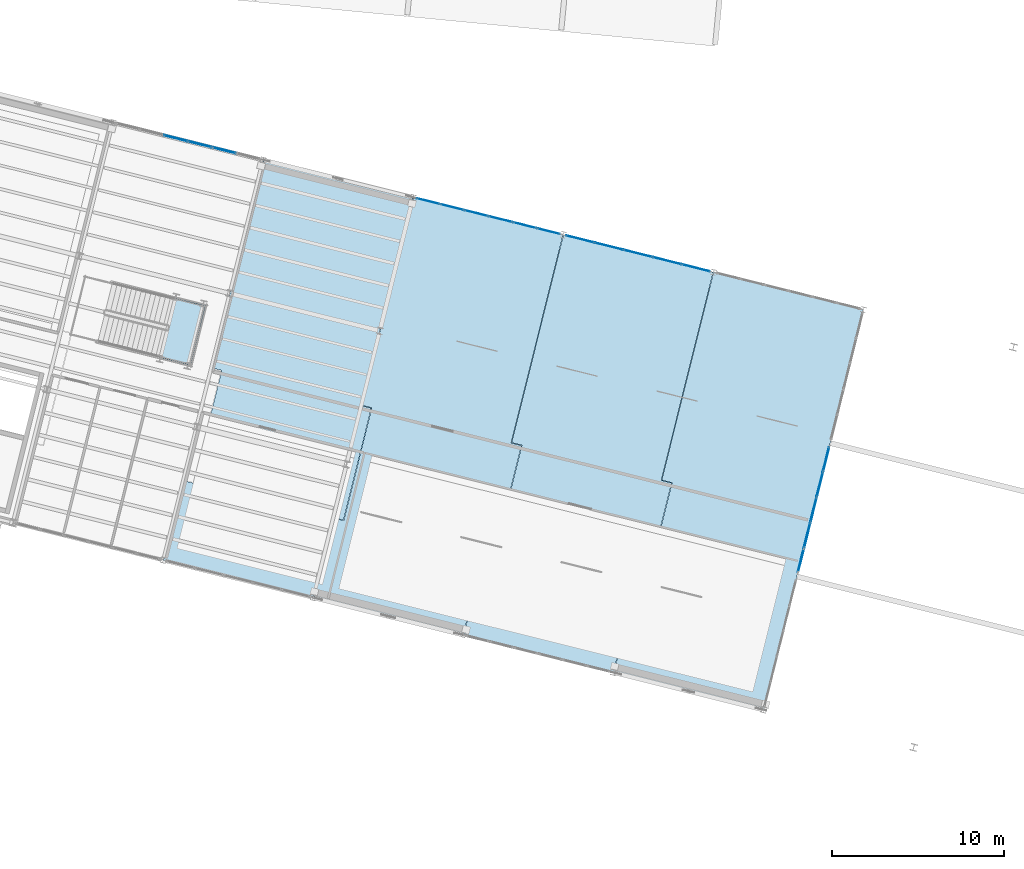
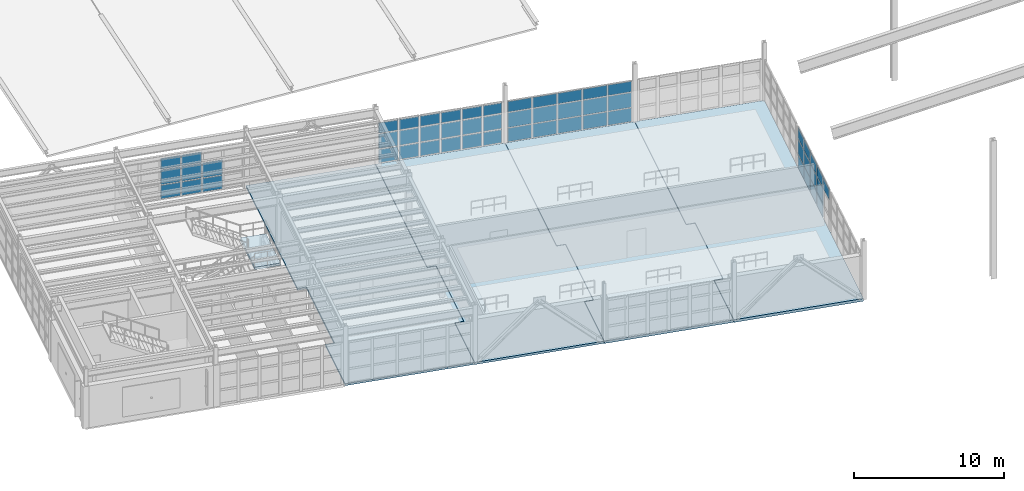
# One storey, part 35 of 59: 54 plates, 5 slabs, 5 elements without a shape of their own.
"""IFC4 building model written with IfcOpenShell, lengths in metres."""

from ifc_helpers import new_model, si_unit, direction, frame, origin, origin_2d, place, context, subcontext, project, spatial, polyline, rectangle, outline, extrude, material, layer, layer_set, type_object, element, aggregate, save


model = new_model("IFC4")

# Units and contexts
model_context = context("Model", 3, precision=1e-05, world=origin(), true_north=direction((0.0, 1.0)))
body_context = subcontext(model_context, "Body", "Model", "MODEL_VIEW")
ifc_project = project(units=[si_unit("LENGTHUNIT", "METRE"), si_unit("AREAUNIT", "SQUARE_METRE"), si_unit("VOLUMEUNIT", "CUBIC_METRE"), si_unit("PLANEANGLEUNIT", "RADIAN"), si_unit("MASSUNIT", "GRAM", prefix="KILO")], contexts=[model_context])

# Site, building, storey
site_placement = place(None, origin())
site = spatial("IfcSite", under=ifc_project, at=site_placement, CompositionType="ELEMENT")
building_placement = place(site_placement, origin())
building = spatial("IfcBuilding", under=site, at=building_placement, Name="Vireo Bluff Cable Station", CompositionType="ELEMENT")
storey_placement = place(building_placement, frame((0.0, 0.0, 14.39990234375)))
storey = spatial("IfcBuildingStorey", under=building, at=storey_placement, Name="L03", CompositionType="ELEMENT", Elevation=14.39990234375)

# Curtain wall, plates
ifc_material_1 = material(Name="Anodized Aluminium 6063-T6", Category="aluminium")
ifc_layer_1 = layer(ifc_material_1, 0.179931640625, Name="Anodized Aluminium 6063-T6")
ifc_layer_set_1 = layer_set([ifc_layer_1], Name="Anodized Aluminium 6063-T6")
curtain_wall_type_1 = type_object("IfcCurtainWallType", Name="CW-UNIT-1500", PredefinedType="USERDEFINED", material=ifc_layer_set_1)
curtain_wall_1_placement = place(storey_placement, origin())
curtain_wall_1 = element("IfcCurtainWall", 1, at=curtain_wall_1_placement, inside=storey, type_object=curtain_wall_type_1, Name="V1 L03 north curtain wall CW-025", ObjectType="UNITISED CURTAIN WALL", PredefinedType="USERDEFINED")
ifc_material_2 = material(Name="Laminated Low-E Insulated Glass", Category="glass")
ifc_layer_2 = layer(ifc_material_2, 0.028076171875, Name="Laminated Low-E Insulated Glass")
ifc_layer_set_2 = layer_set([ifc_layer_2], Name="Laminated Low-E Insulated Glass")
plate_type_1 = type_object("IfcPlateType", Name="CWP-28-1", PredefinedType="CURTAIN_PANEL", material=ifc_layer_set_2)
plate_1_placement = place(storey_placement, frame((86.876953125, 54.53759765625, 0.0751953125), z_axis=(0.0, 0.0, 1.0), x_axis=(0.970295727057, -0.241921892467, 0.0)))
plate_1 = element("IfcPlate", 2, at=plate_1_placement, type_object=plate_type_1, Name="CW-025 panel 1.1", PredefinedType="CURTAIN_PANEL", context=body_context, shape_type="SweptSolid", body=[
    extrude(rectangle(XDim=1.34033203125, YDim=0.028076171875, at=origin_2d()), origin(), (0.0, 0.0, 1.0), 1.077392578125),
])
plate_2_placement = place(storey_placement, frame((86.876953125, 54.53759765625, 1.2275390625), z_axis=(0.0, 0.0, 1.0), x_axis=(0.970295727057, -0.241921892467, 0.0)))
plate_2 = element("IfcPlate", 3, at=plate_2_placement, type_object=plate_type_1, Name="CW-025 panel 1.2", PredefinedType="CURTAIN_PANEL", context=body_context, shape_type="SweptSolid", body=[
    extrude(rectangle(XDim=1.34033203125, YDim=0.028076171875, at=origin_2d()), origin(), (0.0, 0.0, 1.0), 1.18310546875),
])
plate_3_placement = place(storey_placement, frame((86.876953125, 54.53759765625, 2.4853515625), z_axis=(0.0, 0.0, 1.0), x_axis=(0.970295727057, -0.241921892467, 0.0)))
plate_3 = element("IfcPlate", 4, at=plate_3_placement, type_object=plate_type_1, Name="CW-025 panel 1.3", PredefinedType="CURTAIN_PANEL", context=body_context, shape_type="SweptSolid", body=[
    extrude(rectangle(XDim=1.34033203125, YDim=0.028076171875, at=origin_2d()), origin(), (0.0, 0.0, 1.0), 0.839599609375),
])
plate_4_placement = place(storey_placement, frame((88.268310546875, 54.190673828125, 0.0751953125), z_axis=(0.0, 0.0, 1.0), x_axis=(0.970295727057, -0.241921892467, 0.0)))
plate_4 = element("IfcPlate", 5, at=plate_4_placement, type_object=plate_type_1, Name="CW-025 panel 2.1", PredefinedType="CURTAIN_PANEL", context=body_context, shape_type="SweptSolid", body=[
    extrude(rectangle(XDim=1.377685546875, YDim=0.028076171875, at=origin_2d()), origin(), (0.0, 0.0, 1.0), 1.077392578125),
])
plate_5_placement = place(storey_placement, frame((88.268310546875, 54.190673828125, 1.2275390625), z_axis=(0.0, 0.0, 1.0), x_axis=(0.970295727057, -0.241921892467, 0.0)))
plate_5 = element("IfcPlate", 6, at=plate_5_placement, type_object=plate_type_1, Name="CW-025 panel 2.2", PredefinedType="CURTAIN_PANEL", context=body_context, shape_type="SweptSolid", body=[
    extrude(rectangle(XDim=1.377685546875, YDim=0.028076171875, at=origin_2d()), origin(), (0.0, 0.0, 1.0), 1.18310546875),
])
plate_6_placement = place(storey_placement, frame((88.268310546875, 54.190673828125, 2.4853515625), z_axis=(0.0, 0.0, 1.0), x_axis=(0.970295727057, -0.241921892467, 0.0)))
plate_6 = element("IfcPlate", 7, at=plate_6_placement, type_object=plate_type_1, Name="CW-025 panel 2.3", PredefinedType="CURTAIN_PANEL", context=body_context, shape_type="SweptSolid", body=[
    extrude(rectangle(XDim=1.377685546875, YDim=0.028076171875, at=origin_2d()), origin(), (0.0, 0.0, 1.0), 0.839599609375),
])
plate_7_placement = place(storey_placement, frame((89.677978515625, 53.839111328125, 0.0751953125), z_axis=(0.0, 0.0, 1.0), x_axis=(0.970295727057, -0.241921892467, 0.0)))
plate_7 = element("IfcPlate", 8, at=plate_7_placement, type_object=plate_type_1, Name="CW-025 panel 3.1", PredefinedType="CURTAIN_PANEL", context=body_context, shape_type="SweptSolid", body=[
    extrude(rectangle(XDim=1.377685546875, YDim=0.028076171875, at=origin_2d()), origin(), (0.0, 0.0, 1.0), 1.077392578125),
])
plate_8_placement = place(storey_placement, frame((89.677978515625, 53.839111328125, 1.2275390625), z_axis=(0.0, 0.0, 1.0), x_axis=(0.970295727057, -0.241921892467, 0.0)))
plate_8 = element("IfcPlate", 9, at=plate_8_placement, type_object=plate_type_1, Name="CW-025 panel 3.2", PredefinedType="CURTAIN_PANEL", context=body_context, shape_type="SweptSolid", body=[
    extrude(rectangle(XDim=1.377685546875, YDim=0.028076171875, at=origin_2d()), origin(), (0.0, 0.0, 1.0), 1.18310546875),
])
plate_9_placement = place(storey_placement, frame((89.677978515625, 53.839111328125, 2.4853515625), z_axis=(0.0, 0.0, 1.0), x_axis=(0.970295727057, -0.241921892467, 0.0)))
plate_9 = element("IfcPlate", 10, at=plate_9_placement, type_object=plate_type_1, Name="CW-025 panel 3.3", PredefinedType="CURTAIN_PANEL", context=body_context, shape_type="SweptSolid", body=[
    extrude(rectangle(XDim=1.377685546875, YDim=0.028076171875, at=origin_2d()), origin(), (0.0, 0.0, 1.0), 0.839599609375),
])
plate_10_placement = place(storey_placement, frame((91.087646484375, 53.48779296875, 0.0751953125), z_axis=(0.0, 0.0, 1.0), x_axis=(0.970295727057, -0.241921892467, 0.0)))
plate_10 = element("IfcPlate", 11, at=plate_10_placement, type_object=plate_type_1, Name="CW-025 panel 4.1", PredefinedType="CURTAIN_PANEL", context=body_context, shape_type="SweptSolid", body=[
    extrude(rectangle(XDim=1.377685546875, YDim=0.028076171875, at=origin_2d()), origin(), (0.0, 0.0, 1.0), 1.077392578125),
])
plate_11_placement = place(storey_placement, frame((91.087646484375, 53.48779296875, 1.2275390625), z_axis=(0.0, 0.0, 1.0), x_axis=(0.970295727057, -0.241921892467, 0.0)))
plate_11 = element("IfcPlate", 12, at=plate_11_placement, type_object=plate_type_1, Name="CW-025 panel 4.2", PredefinedType="CURTAIN_PANEL", context=body_context, shape_type="SweptSolid", body=[
    extrude(rectangle(XDim=1.377685546875, YDim=0.028076171875, at=origin_2d()), origin(), (0.0, 0.0, 1.0), 1.18310546875),
])
plate_12_placement = place(storey_placement, frame((91.087646484375, 53.48779296875, 2.4853515625), z_axis=(0.0, 0.0, 1.0), x_axis=(0.970295727057, -0.241921892467, 0.0)))
plate_12 = element("IfcPlate", 13, at=plate_12_placement, type_object=plate_type_1, Name="CW-025 panel 4.3", PredefinedType="CURTAIN_PANEL", context=body_context, shape_type="SweptSolid", body=[
    extrude(rectangle(XDim=1.377685546875, YDim=0.028076171875, at=origin_2d()), origin(), (0.0, 0.0, 1.0), 0.839599609375),
])
plate_13_placement = place(storey_placement, frame((92.497314453125, 53.13623046875, 0.0751953125), z_axis=(0.0, 0.0, 1.0), x_axis=(0.970295727057, -0.241921892467, 0.0)))
plate_13 = element("IfcPlate", 14, at=plate_13_placement, type_object=plate_type_1, Name="CW-025 panel 5.1", PredefinedType="CURTAIN_PANEL", context=body_context, shape_type="SweptSolid", body=[
    extrude(rectangle(XDim=1.377685546875, YDim=0.028076171875, at=origin_2d()), origin(), (0.0, 0.0, 1.0), 1.077392578125),
])
plate_14_placement = place(storey_placement, frame((92.497314453125, 53.13623046875, 1.2275390625), z_axis=(0.0, 0.0, 1.0), x_axis=(0.970295727057, -0.241921892467, 0.0)))
plate_14 = element("IfcPlate", 15, at=plate_14_placement, type_object=plate_type_1, Name="CW-025 panel 5.2", PredefinedType="CURTAIN_PANEL", context=body_context, shape_type="SweptSolid", body=[
    extrude(rectangle(XDim=1.377685546875, YDim=0.028076171875, at=origin_2d()), origin(), (0.0, 0.0, 1.0), 1.18310546875),
])
plate_15_placement = place(storey_placement, frame((92.497314453125, 53.13623046875, 2.4853515625), z_axis=(0.0, 0.0, 1.0), x_axis=(0.970295727057, -0.241921892467, 0.0)))
plate_15 = element("IfcPlate", 16, at=plate_15_placement, type_object=plate_type_1, Name="CW-025 panel 5.3", PredefinedType="CURTAIN_PANEL", context=body_context, shape_type="SweptSolid", body=[
    extrude(rectangle(XDim=1.377685546875, YDim=0.028076171875, at=origin_2d()), origin(), (0.0, 0.0, 1.0), 0.839599609375),
])
plate_16_placement = place(storey_placement, frame((93.888671875, 52.789306640625, 0.0751953125), z_axis=(0.0, 0.0, 1.0), x_axis=(0.970295727057, -0.241921892467, 0.0)))
plate_16 = element("IfcPlate", 17, at=plate_16_placement, type_object=plate_type_1, Name="CW-025 panel 6.1", PredefinedType="CURTAIN_PANEL", context=body_context, shape_type="SweptSolid", body=[
    extrude(rectangle(XDim=1.34033203125, YDim=0.028076171875, at=origin_2d()), origin(), (0.0, 0.0, 1.0), 1.077392578125),
])
plate_17_placement = place(storey_placement, frame((93.888671875, 52.789306640625, 1.2275390625), z_axis=(0.0, 0.0, 1.0), x_axis=(0.970295727057, -0.241921892467, 0.0)))
plate_17 = element("IfcPlate", 18, at=plate_17_placement, type_object=plate_type_1, Name="CW-025 panel 6.2", PredefinedType="CURTAIN_PANEL", context=body_context, shape_type="SweptSolid", body=[
    extrude(rectangle(XDim=1.34033203125, YDim=0.028076171875, at=origin_2d()), origin(), (0.0, 0.0, 1.0), 1.18310546875),
])
plate_18_placement = place(storey_placement, frame((93.888671875, 52.789306640625, 2.4853515625), z_axis=(0.0, 0.0, 1.0), x_axis=(0.970295727057, -0.241921892467, 0.0)))
plate_18 = element("IfcPlate", 19, at=plate_18_placement, type_object=plate_type_1, Name="CW-025 panel 6.3", PredefinedType="CURTAIN_PANEL", context=body_context, shape_type="SweptSolid", body=[
    extrude(rectangle(XDim=1.34033203125, YDim=0.028076171875, at=origin_2d()), origin(), (0.0, 0.0, 1.0), 0.839599609375),
])
aggregate(curtain_wall_1, [plate_1, plate_2, plate_3, plate_4, plate_5, plate_6, plate_7, plate_8, plate_9, plate_10, plate_11, plate_12, plate_13, plate_14, plate_15, plate_16, plate_17, plate_18])

ifc_layer_3 = layer(ifc_material_1, 0.179931640625, Name="Anodized Aluminium 6063-T6")
ifc_layer_set_3 = layer_set([ifc_layer_3], Name="Anodized Aluminium 6063-T6")
curtain_wall_type_2 = type_object("IfcCurtainWallType", Name="CW-UNIT-1650", PredefinedType="USERDEFINED", material=ifc_layer_set_3)
curtain_wall_2_placement = place(storey_placement, origin())
curtain_wall_2 = element("IfcCurtainWall", 20, at=curtain_wall_2_placement, inside=storey, type_object=curtain_wall_type_2, Name="V1 L03 north curtain wall CW-026", ObjectType="UNITISED CURTAIN WALL", PredefinedType="USERDEFINED")
ifc_layer_4 = layer(ifc_material_2, 0.031982421875, Name="Laminated Low-E Insulated Glass")
ifc_layer_set_4 = layer_set([ifc_layer_4], Name="Laminated Low-E Insulated Glass")
plate_type_2 = type_object("IfcPlateType", Name="CWP-32-2", PredefinedType="CURTAIN_PANEL", material=ifc_layer_set_4)
plate_19_placement = place(storey_placement, frame((95.72216796875, 52.332275390625, 0.06005859375), z_axis=(0.0, 0.0, 1.0), x_axis=(0.970295727057, -0.241921892467, 0.0)))
plate_19 = element("IfcPlate", 21, at=plate_19_placement, type_object=plate_type_2, Name="CW-026 panel 1.1", PredefinedType="CURTAIN_PANEL", context=body_context, shape_type="SweptSolid", body=[
    extrude(rectangle(XDim=1.6533203125, YDim=0.031982421875, at=origin_2d()), origin(), (0.0, 0.0, 1.0), 1.10009765625),
])
plate_20_placement = place(storey_placement, frame((95.72216796875, 52.332275390625, 1.22021484375), z_axis=(0.0, 0.0, 1.0), x_axis=(0.970295727057, -0.241921892467, 0.0)))
plate_20 = element("IfcPlate", 22, at=plate_20_placement, type_object=plate_type_2, Name="CW-026 panel 1.2", PredefinedType="CURTAIN_PANEL", context=body_context, shape_type="SweptSolid", body=[
    extrude(rectangle(XDim=1.6533203125, YDim=0.031982421875, at=origin_2d()), origin(), (0.0, 0.0, 1.0), 1.197998046875),
])
plate_21_placement = place(storey_placement, frame((95.72216796875, 52.332275390625, 2.47802734375), z_axis=(0.0, 0.0, 1.0), x_axis=(0.970295727057, -0.241921892467, 0.0)))
plate_21 = element("IfcPlate", 23, at=plate_21_placement, type_object=plate_type_2, Name="CW-026 panel 1.3", PredefinedType="CURTAIN_PANEL", context=body_context, shape_type="SweptSolid", body=[
    extrude(rectangle(XDim=1.6533203125, YDim=0.031982421875, at=origin_2d()), origin(), (0.0, 0.0, 1.0), 0.862060546875),
])
plate_22_placement = place(storey_placement, frame((97.399169921875, 51.9140625, 0.06005859375), z_axis=(0.0, 0.0, 1.0), x_axis=(0.970295727057, -0.241921892467, 0.0)))
plate_22 = element("IfcPlate", 24, at=plate_22_placement, type_object=plate_type_2, Name="CW-026 panel 2.1", PredefinedType="CURTAIN_PANEL", context=body_context, shape_type="SweptSolid", body=[
    extrude(rectangle(XDim=1.683349609375, YDim=0.031982421875, at=origin_2d()), origin(), (0.0, 0.0, 1.0), 1.10009765625),
])
plate_23_placement = place(storey_placement, frame((97.399169921875, 51.9140625, 1.22021484375), z_axis=(0.0, 0.0, 1.0), x_axis=(0.970295727057, -0.241921892467, 0.0)))
plate_23 = element("IfcPlate", 25, at=plate_23_placement, type_object=plate_type_2, Name="CW-026 panel 2.2", PredefinedType="CURTAIN_PANEL", context=body_context, shape_type="SweptSolid", body=[
    extrude(rectangle(XDim=1.683349609375, YDim=0.031982421875, at=origin_2d()), origin(), (0.0, 0.0, 1.0), 1.197998046875),
])
plate_24_placement = place(storey_placement, frame((97.399169921875, 51.9140625, 2.47802734375), z_axis=(0.0, 0.0, 1.0), x_axis=(0.970295727057, -0.241921892467, 0.0)))
plate_24 = element("IfcPlate", 26, at=plate_24_placement, type_object=plate_type_2, Name="CW-026 panel 2.3", PredefinedType="CURTAIN_PANEL", context=body_context, shape_type="SweptSolid", body=[
    extrude(rectangle(XDim=1.683349609375, YDim=0.031982421875, at=origin_2d()), origin(), (0.0, 0.0, 1.0), 0.862060546875),
])
plate_25_placement = place(storey_placement, frame((99.0908203125, 51.492431640625, 0.06005859375), z_axis=(0.0, 0.0, 1.0), x_axis=(0.970295727057, -0.241921892467, 0.0)))
plate_25 = element("IfcPlate", 27, at=plate_25_placement, type_object=plate_type_2, Name="CW-026 panel 3.1", PredefinedType="CURTAIN_PANEL", context=body_context, shape_type="SweptSolid", body=[
    extrude(rectangle(XDim=1.683349609375, YDim=0.031982421875, at=origin_2d()), origin(), (0.0, 0.0, 1.0), 1.10009765625),
])
plate_26_placement = place(storey_placement, frame((99.0908203125, 51.492431640625, 1.22021484375), z_axis=(0.0, 0.0, 1.0), x_axis=(0.970295727057, -0.241921892467, 0.0)))
plate_26 = element("IfcPlate", 28, at=plate_26_placement, type_object=plate_type_2, Name="CW-026 panel 3.2", PredefinedType="CURTAIN_PANEL", context=body_context, shape_type="SweptSolid", body=[
    extrude(rectangle(XDim=1.683349609375, YDim=0.031982421875, at=origin_2d()), origin(), (0.0, 0.0, 1.0), 1.197998046875),
])
plate_27_placement = place(storey_placement, frame((99.0908203125, 51.492431640625, 2.47802734375), z_axis=(0.0, 0.0, 1.0), x_axis=(0.970295727057, -0.241921892467, 0.0)))
plate_27 = element("IfcPlate", 29, at=plate_27_placement, type_object=plate_type_2, Name="CW-026 panel 3.3", PredefinedType="CURTAIN_PANEL", context=body_context, shape_type="SweptSolid", body=[
    extrude(rectangle(XDim=1.683349609375, YDim=0.031982421875, at=origin_2d()), origin(), (0.0, 0.0, 1.0), 0.862060546875),
])
plate_28_placement = place(storey_placement, frame((100.7822265625, 51.070556640625, 0.06005859375), z_axis=(0.0, 0.0, 1.0), x_axis=(0.970295727057, -0.241921892467, 0.0)))
plate_28 = element("IfcPlate", 30, at=plate_28_placement, type_object=plate_type_2, Name="CW-026 panel 4.1", PredefinedType="CURTAIN_PANEL", context=body_context, shape_type="SweptSolid", body=[
    extrude(rectangle(XDim=1.683349609375, YDim=0.031982421875, at=origin_2d()), origin(), (0.0, 0.0, 1.0), 1.10009765625),
])
plate_29_placement = place(storey_placement, frame((100.7822265625, 51.070556640625, 1.22021484375), z_axis=(0.0, 0.0, 1.0), x_axis=(0.970295727057, -0.241921892467, 0.0)))
plate_29 = element("IfcPlate", 31, at=plate_29_placement, type_object=plate_type_2, Name="CW-026 panel 4.2", PredefinedType="CURTAIN_PANEL", context=body_context, shape_type="SweptSolid", body=[
    extrude(rectangle(XDim=1.683349609375, YDim=0.031982421875, at=origin_2d()), origin(), (0.0, 0.0, 1.0), 1.197998046875),
])
plate_30_placement = place(storey_placement, frame((100.7822265625, 51.070556640625, 2.47802734375), z_axis=(0.0, 0.0, 1.0), x_axis=(0.970295727057, -0.241921892467, 0.0)))
plate_30 = element("IfcPlate", 32, at=plate_30_placement, type_object=plate_type_2, Name="CW-026 panel 4.3", PredefinedType="CURTAIN_PANEL", context=body_context, shape_type="SweptSolid", body=[
    extrude(rectangle(XDim=1.683349609375, YDim=0.031982421875, at=origin_2d()), origin(), (0.0, 0.0, 1.0), 0.862060546875),
])
plate_31_placement = place(storey_placement, frame((102.459228515625, 50.652587890625, 0.06005859375), z_axis=(0.0, 0.0, 1.0), x_axis=(0.970295727057, -0.241921892467, 0.0)))
plate_31 = element("IfcPlate", 33, at=plate_31_placement, type_object=plate_type_2, Name="CW-026 panel 5.1", PredefinedType="CURTAIN_PANEL", context=body_context, shape_type="SweptSolid", body=[
    extrude(rectangle(XDim=1.6533203125, YDim=0.031982421875, at=origin_2d()), origin(), (0.0, 0.0, 1.0), 1.10009765625),
])
plate_32_placement = place(storey_placement, frame((102.459228515625, 50.652587890625, 1.22021484375), z_axis=(0.0, 0.0, 1.0), x_axis=(0.970295727057, -0.241921892467, 0.0)))
plate_32 = element("IfcPlate", 34, at=plate_32_placement, type_object=plate_type_2, Name="CW-026 panel 5.2", PredefinedType="CURTAIN_PANEL", context=body_context, shape_type="SweptSolid", body=[
    extrude(rectangle(XDim=1.6533203125, YDim=0.031982421875, at=origin_2d()), origin(), (0.0, 0.0, 1.0), 1.197998046875),
])
plate_33_placement = place(storey_placement, frame((102.459228515625, 50.652587890625, 2.47802734375), z_axis=(0.0, 0.0, 1.0), x_axis=(0.970295727057, -0.241921892467, 0.0)))
plate_33 = element("IfcPlate", 35, at=plate_33_placement, type_object=plate_type_2, Name="CW-026 panel 5.3", PredefinedType="CURTAIN_PANEL", context=body_context, shape_type="SweptSolid", body=[
    extrude(rectangle(XDim=1.6533203125, YDim=0.031982421875, at=origin_2d()), origin(), (0.0, 0.0, 1.0), 0.862060546875),
])
aggregate(curtain_wall_2, [plate_19, plate_20, plate_21, plate_22, plate_23, plate_24, plate_25, plate_26, plate_27, plate_28, plate_29, plate_30, plate_31, plate_32, plate_33])

ifc_layer_5 = layer(ifc_material_1, 0.179931640625, Name="Anodized Aluminium 6063-T6")
ifc_layer_set_5 = layer_set([ifc_layer_5], Name="Anodized Aluminium 6063-T6")
curtain_wall_type_3 = type_object("IfcCurtainWallType", Name="CW-UNIT-1400", PredefinedType="USERDEFINED", material=ifc_layer_set_5)
curtain_wall_3_placement = place(storey_placement, origin())
curtain_wall_3 = element("IfcCurtainWall", 36, at=curtain_wall_3_placement, inside=storey, type_object=curtain_wall_type_3, Name="V1 L03 north curtain wall CW-024", ObjectType="UNITISED CURTAIN WALL", PredefinedType="USERDEFINED")
ifc_material_3 = material(Name="Insulated Spandrel Glass Panel", Category="glass")
ifc_layer_6 = layer(ifc_material_3, 0.048095703125, Name="Insulated Spandrel Glass Panel")
ifc_layer_set_6 = layer_set([ifc_layer_6], Name="Insulated Spandrel Glass Panel")
plate_type_3 = type_object("IfcPlateType", Name="CWP-48-5", PredefinedType="CURTAIN_PANEL", material=ifc_layer_set_6)
plate_34_placement = place(storey_placement, frame((72.202392578125, 58.1962890625, 0.06494140625), z_axis=(0.0, 0.0, 1.0), x_axis=(0.970295730477, -0.241921878749, 0.0)))
plate_34 = element("IfcPlate", 37, at=plate_34_placement, type_object=plate_type_3, Name="CW-024 panel 3.1", PredefinedType="CURTAIN_PANEL", context=body_context, shape_type="SweptSolid", body=[
    extrude(rectangle(XDim=1.383544921875, YDim=0.048095703125, at=origin_2d()), origin(), (0.0, 0.0, 1.0), 1.092529296875),
])
plate_35_placement = place(storey_placement, frame((72.202392578125, 58.1962890625, 1.22265625), z_axis=(0.0, 0.0, 1.0), x_axis=(0.970295730477, -0.241921878749, 0.0)))
plate_35 = element("IfcPlate", 38, at=plate_35_placement, type_object=plate_type_3, Name="CW-024 panel 3.2", PredefinedType="CURTAIN_PANEL", context=body_context, shape_type="SweptSolid", body=[
    extrude(rectangle(XDim=1.383544921875, YDim=0.048095703125, at=origin_2d()), origin(), (0.0, 0.0, 1.0), 1.193115234375),
])
plate_36_placement = place(storey_placement, frame((72.202392578125, 58.1962890625, 2.480712890625), z_axis=(0.0, 0.0, 1.0), x_axis=(0.970295730477, -0.241921878749, 0.0)))
plate_36 = element("IfcPlate", 39, at=plate_36_placement, type_object=plate_type_3, Name="CW-024 panel 3.3", PredefinedType="CURTAIN_PANEL", context=body_context, shape_type="SweptSolid", body=[
    extrude(rectangle(XDim=1.383544921875, YDim=0.048095703125, at=origin_2d()), origin(), (0.0, 0.0, 1.0), 0.8544921875),
])
plate_37_placement = place(storey_placement, frame((73.60791015625, 57.845947265625, 0.06494140625), z_axis=(0.0, 0.0, 1.0), x_axis=(0.970295730477, -0.241921878749, 0.0)))
plate_37 = element("IfcPlate", 40, at=plate_37_placement, type_object=plate_type_3, Name="CW-024 panel 4.1", PredefinedType="CURTAIN_PANEL", context=body_context, shape_type="SweptSolid", body=[
    extrude(rectangle(XDim=1.383544921875, YDim=0.048095703125, at=origin_2d()), origin(), (0.0, 0.0, 1.0), 1.092529296875),
])
plate_38_placement = place(storey_placement, frame((73.60791015625, 57.845947265625, 1.22265625), z_axis=(0.0, 0.0, 1.0), x_axis=(0.970295730477, -0.241921878749, 0.0)))
plate_38 = element("IfcPlate", 41, at=plate_38_placement, type_object=plate_type_3, Name="CW-024 panel 4.2", PredefinedType="CURTAIN_PANEL", context=body_context, shape_type="SweptSolid", body=[
    extrude(rectangle(XDim=1.383544921875, YDim=0.048095703125, at=origin_2d()), origin(), (0.0, 0.0, 1.0), 1.193115234375),
])
plate_39_placement = place(storey_placement, frame((73.60791015625, 57.845947265625, 2.480712890625), z_axis=(0.0, 0.0, 1.0), x_axis=(0.970295730477, -0.241921878749, 0.0)))
plate_39 = element("IfcPlate", 42, at=plate_39_placement, type_object=plate_type_3, Name="CW-024 panel 4.3", PredefinedType="CURTAIN_PANEL", context=body_context, shape_type="SweptSolid", body=[
    extrude(rectangle(XDim=1.383544921875, YDim=0.048095703125, at=origin_2d()), origin(), (0.0, 0.0, 1.0), 0.8544921875),
])
plate_40_placement = place(storey_placement, frame((75.013427734375, 57.49560546875, 0.06494140625), z_axis=(0.0, 0.0, 1.0), x_axis=(0.970295730477, -0.241921878749, 0.0)))
plate_40 = element("IfcPlate", 43, at=plate_40_placement, type_object=plate_type_3, Name="CW-024 panel 5.1", PredefinedType="CURTAIN_PANEL", context=body_context, shape_type="SweptSolid", body=[
    extrude(rectangle(XDim=1.383544921875, YDim=0.048095703125, at=origin_2d()), origin(), (0.0, 0.0, 1.0), 1.092529296875),
])
plate_41_placement = place(storey_placement, frame((75.013427734375, 57.49560546875, 1.22265625), z_axis=(0.0, 0.0, 1.0), x_axis=(0.970295730477, -0.241921878749, 0.0)))
plate_41 = element("IfcPlate", 44, at=plate_41_placement, type_object=plate_type_3, Name="CW-024 panel 5.2", PredefinedType="CURTAIN_PANEL", context=body_context, shape_type="SweptSolid", body=[
    extrude(rectangle(XDim=1.383544921875, YDim=0.048095703125, at=origin_2d()), origin(), (0.0, 0.0, 1.0), 1.193115234375),
])
aggregate(curtain_wall_3, [plate_34, plate_35, plate_36, plate_37, plate_38, plate_39, plate_40, plate_41])

curtain_wall_4_placement = place(storey_placement, origin())
curtain_wall_4 = element("IfcCurtainWall", 45, at=curtain_wall_4_placement, inside=storey, type_object=curtain_wall_type_2, Name="V1 L03 east curtain wall CW-029", ObjectType="UNITISED CURTAIN WALL", PredefinedType="USERDEFINED")
plate_42_placement = place(storey_placement, frame((110.033447265625, 39.525146484375, 0.0751953125), z_axis=(0.0, 0.0, 1.0), x_axis=(-0.241921950655, -0.970295712549, 0.0)))
plate_42 = element("IfcPlate", 46, at=plate_42_placement, type_object=plate_type_3, Name="CW-029 panel 1.1", PredefinedType="CURTAIN_PANEL", context=body_context, shape_type="SweptSolid", body=[
    extrude(rectangle(XDim=1.414794921875, YDim=0.048095703125, at=origin_2d()), origin(), (0.0, 0.0, 1.0), 1.077392578125),
])
plate_43_placement = place(storey_placement, frame((110.033447265625, 39.525146484375, 1.2275390625), z_axis=(0.0, 0.0, 1.0), x_axis=(-0.241921950655, -0.970295712549, 0.0)))
plate_43 = element("IfcPlate", 47, at=plate_43_placement, type_object=plate_type_3, Name="CW-029 panel 1.2", PredefinedType="CURTAIN_PANEL", context=body_context, shape_type="SweptSolid", body=[
    extrude(rectangle(XDim=1.414794921875, YDim=0.048095703125, at=origin_2d()), origin(), (0.0, 0.0, 1.0), 1.18310546875),
])
plate_44_placement = place(storey_placement, frame((110.033447265625, 39.525146484375, 2.4853515625), z_axis=(0.0, 0.0, 1.0), x_axis=(-0.241921950655, -0.970295712549, 0.0)))
plate_44 = element("IfcPlate", 48, at=plate_44_placement, type_object=plate_type_3, Name="CW-029 panel 1.3", PredefinedType="CURTAIN_PANEL", context=body_context, shape_type="SweptSolid", body=[
    extrude(rectangle(XDim=1.414794921875, YDim=0.048095703125, at=origin_2d()), origin(), (0.0, 0.0, 1.0), 0.839599609375),
])
plate_45_placement = place(storey_placement, frame((109.66845703125, 38.0615234375, 0.0751953125), z_axis=(0.0, 0.0, 1.0), x_axis=(-0.241921950655, -0.970295712549, 0.0)))
plate_45 = element("IfcPlate", 49, at=plate_45_placement, type_object=plate_type_3, Name="CW-029 panel 2.1", PredefinedType="CURTAIN_PANEL", context=body_context, shape_type="SweptSolid", body=[
    extrude(rectangle(XDim=1.4521484375, YDim=0.048095703125, at=origin_2d()), origin(), (0.0, 0.0, 1.0), 1.077392578125),
])
plate_46_placement = place(storey_placement, frame((109.66845703125, 38.0615234375, 1.2275390625), z_axis=(0.0, 0.0, 1.0), x_axis=(-0.241921950655, -0.970295712549, 0.0)))
plate_46 = element("IfcPlate", 50, at=plate_46_placement, type_object=plate_type_3, Name="CW-029 panel 2.2", PredefinedType="CURTAIN_PANEL", context=body_context, shape_type="SweptSolid", body=[
    extrude(rectangle(XDim=1.4521484375, YDim=0.048095703125, at=origin_2d()), origin(), (0.0, 0.0, 1.0), 1.18310546875),
])
plate_47_placement = place(storey_placement, frame((109.66845703125, 38.0615234375, 2.4853515625), z_axis=(0.0, 0.0, 1.0), x_axis=(-0.241921950655, -0.970295712549, 0.0)))
plate_47 = element("IfcPlate", 51, at=plate_47_placement, type_object=plate_type_3, Name="CW-029 panel 2.3", PredefinedType="CURTAIN_PANEL", context=body_context, shape_type="SweptSolid", body=[
    extrude(rectangle(XDim=1.4521484375, YDim=0.048095703125, at=origin_2d()), origin(), (0.0, 0.0, 1.0), 0.839599609375),
])
plate_48_placement = place(storey_placement, frame((109.299072265625, 36.579833984375, 0.0751953125), z_axis=(0.0, 0.0, 1.0), x_axis=(-0.241921950655, -0.970295712549, 0.0)))
plate_48 = element("IfcPlate", 52, at=plate_48_placement, type_object=plate_type_3, Name="CW-029 panel 3.1", PredefinedType="CURTAIN_PANEL", context=body_context, shape_type="SweptSolid", body=[
    extrude(rectangle(XDim=1.4521484375, YDim=0.048095703125, at=origin_2d()), origin(), (0.0, 0.0, 1.0), 1.077392578125),
])
plate_49_placement = place(storey_placement, frame((109.299072265625, 36.579833984375, 1.2275390625), z_axis=(0.0, 0.0, 1.0), x_axis=(-0.241921950655, -0.970295712549, 0.0)))
plate_49 = element("IfcPlate", 53, at=plate_49_placement, type_object=plate_type_3, Name="CW-029 panel 3.2", PredefinedType="CURTAIN_PANEL", context=body_context, shape_type="SweptSolid", body=[
    extrude(rectangle(XDim=1.4521484375, YDim=0.048095703125, at=origin_2d()), origin(), (0.0, 0.0, 1.0), 1.18310546875),
])
plate_50_placement = place(storey_placement, frame((109.299072265625, 36.579833984375, 2.4853515625), z_axis=(0.0, 0.0, 1.0), x_axis=(-0.241921950655, -0.970295712549, 0.0)))
plate_50 = element("IfcPlate", 54, at=plate_50_placement, type_object=plate_type_3, Name="CW-029 panel 3.3", PredefinedType="CURTAIN_PANEL", context=body_context, shape_type="SweptSolid", body=[
    extrude(rectangle(XDim=1.4521484375, YDim=0.048095703125, at=origin_2d()), origin(), (0.0, 0.0, 1.0), 0.839599609375),
])
plate_51_placement = place(storey_placement, frame((108.9296875, 35.097900390625, 0.0751953125), z_axis=(0.0, 0.0, 1.0), x_axis=(-0.241921950655, -0.970295712549, 0.0)))
plate_51 = element("IfcPlate", 55, at=plate_51_placement, type_object=plate_type_3, Name="CW-029 panel 4.1", PredefinedType="CURTAIN_PANEL", context=body_context, shape_type="SweptSolid", body=[
    extrude(rectangle(XDim=1.4521484375, YDim=0.048095703125, at=origin_2d()), origin(), (0.0, 0.0, 1.0), 1.077392578125),
])
plate_52_placement = place(storey_placement, frame((108.9296875, 35.097900390625, 1.2275390625), z_axis=(0.0, 0.0, 1.0), x_axis=(-0.241921950655, -0.970295712549, 0.0)))
plate_52 = element("IfcPlate", 56, at=plate_52_placement, type_object=plate_type_3, Name="CW-029 panel 4.2", PredefinedType="CURTAIN_PANEL", context=body_context, shape_type="SweptSolid", body=[
    extrude(rectangle(XDim=1.4521484375, YDim=0.048095703125, at=origin_2d()), origin(), (0.0, 0.0, 1.0), 1.18310546875),
])
plate_53_placement = place(storey_placement, frame((108.9296875, 35.097900390625, 2.4853515625), z_axis=(0.0, 0.0, 1.0), x_axis=(-0.241921950655, -0.970295712549, 0.0)))
plate_53 = element("IfcPlate", 57, at=plate_53_placement, type_object=plate_type_3, Name="CW-029 panel 4.3", PredefinedType="CURTAIN_PANEL", context=body_context, shape_type="SweptSolid", body=[
    extrude(rectangle(XDim=1.4521484375, YDim=0.048095703125, at=origin_2d()), origin(), (0.0, 0.0, 1.0), 0.839599609375),
])
plate_54_placement = place(storey_placement, frame((108.564697265625, 33.63427734375, 2.4853515625), z_axis=(0.0, 0.0, 1.0), x_axis=(-0.241921950655, -0.970295712549, 0.0)))
plate_54 = element("IfcPlate", 58, at=plate_54_placement, type_object=plate_type_3, Name="CW-029 panel 5.3", PredefinedType="CURTAIN_PANEL", context=body_context, shape_type="SweptSolid", body=[
    extrude(rectangle(XDim=1.414794921875, YDim=0.048095703125, at=origin_2d()), origin(), (0.0, 0.0, 1.0), 0.839599609375),
])
aggregate(curtain_wall_4, [plate_42, plate_43, plate_44, plate_45, plate_46, plate_47, plate_48, plate_49, plate_50, plate_51, plate_52, plate_53, plate_54])

# Slabs
ifc_material_4 = material(Name="Concrete f'c 40 MPa", Category="concrete")
ifc_layer_7 = layer(ifc_material_4, 0.159912109375, Name="Concrete f'c 40 MPa")
ifc_layer_set_7 = layer_set([ifc_layer_7], Name="Concrete f'c 40 MPa")
slab_type_1 = type_object("IfcSlabType", Name="FLOORSLAB-160", PredefinedType="FLOOR", material=ifc_layer_set_7)
slab_1_placement = place(storey_placement, frame((0.0, 0.0, -0.159912109375)))
element("IfcSlab", 59, at=slab_1_placement, inside=storey, type_object=slab_type_1, Name="V1 L03 floor slab bay 3", PredefinedType="FLOOR", context=body_context, shape_type="SweptSolid", body=[
    extrude(outline(polyline([(71.47509765625, 33.64306640625), (80.188232421875, 31.470458984375), (81.349609375, 36.1279296875), (81.951171875, 35.97802734375), (83.576904296875, 42.498291015625), (82.975341796875, 42.6484375), (85.994384765625, 54.757568359375), (77.28125, 56.93017578125), (74.266845703125, 44.840087890625), (74.868408203125, 44.690185546875), (73.23291015625, 38.131103515625), (72.63134765625, 38.281005859375), (71.47509765625, 33.64306640625)])), origin(), (0.0, 0.0, 1.0), 0.159912109375),
])
ifc_layer_8 = layer(ifc_material_4, 0.179931640625, Name="Concrete f'c 40 MPa")
ifc_layer_set_8 = layer_set([ifc_layer_8], Name="Concrete f'c 40 MPa")
slab_type_2 = type_object("IfcSlabType", Name="FLOORSLAB-180", PredefinedType="FLOOR", material=ifc_layer_set_8)
slab_2_placement = place(storey_placement, frame((0.0, 0.0, -0.179931640625)))
element("IfcSlab", 60, at=slab_2_placement, inside=storey, type_object=slab_type_2, Name="V1 L03 floor slab bay 4", PredefinedType="FLOOR", context=body_context, shape_type="SweptSolid", body=[
    extrude(outline(polyline([(80.207763671875, 31.465576171875), (88.9208984375, 29.293212890625), (90.082275390625, 33.95068359375), (90.683837890625, 33.800537109375), (92.3095703125, 40.321044921875), (91.707763671875, 40.470947265625), (94.72705078125, 52.580322265625), (86.013916015625, 54.752685546875), (82.99951171875, 42.662841796875), (83.60107421875, 42.512939453125), (81.965576171875, 35.95361328125), (81.364013671875, 36.103759765625), (80.207763671875, 31.465576171875)])), origin(), (0.0, 0.0, 1.0), 0.179931640625),
])
ifc_layer_9 = layer(ifc_material_4, 0.199951171875, Name="Concrete f'c 40 MPa")
ifc_layer_set_9 = layer_set([ifc_layer_9], Name="Concrete f'c 40 MPa")
slab_type_3 = type_object("IfcSlabType", Name="FLOORSLAB-200", PredefinedType="FLOOR", material=ifc_layer_set_9)
slab_3_placement = place(storey_placement, frame((0.0, 0.0, -0.199951171875)))
element("IfcSlab", 61, at=slab_3_placement, inside=storey, type_object=slab_type_3, Name="V1 L03 floor slab bay 5", PredefinedType="FLOOR", context=body_context, shape_type="SweptSolid", body=[
    extrude(outline(polyline([(88.9404296875, 29.288330078125), (97.653564453125, 27.115966796875), (98.81494140625, 31.7734375), (99.41650390625, 31.623291015625), (101.042236328125, 38.143798828125), (100.4404296875, 38.293701171875), (103.459716796875, 50.403076171875), (94.74658203125, 52.575439453125), (91.732177734375, 40.485595703125), (92.333740234375, 40.335693359375), (90.6982421875, 33.7763671875), (90.0966796875, 33.926513671875), (88.9404296875, 29.288330078125)])), origin(), (0.0, 0.0, 1.0), 0.199951171875),
])
ifc_layer_10 = layer(ifc_material_4, 0.219970703125, Name="Concrete f'c 40 MPa")
ifc_layer_set_10 = layer_set([ifc_layer_10], Name="Concrete f'c 40 MPa")
slab_type_4 = type_object("IfcSlabType", Name="FLOORSLAB-220", PredefinedType="FLOOR", material=ifc_layer_set_10)
slab_4_placement = place(storey_placement, frame((0.0, 0.0, -0.219970703125)))
element("IfcSlab", 62, at=slab_4_placement, inside=storey, type_object=slab_type_4, Name="V1 L03 floor slab bay 6", PredefinedType="FLOOR", context=body_context, shape_type="SweptSolid", body=[
    extrude(outline(polyline([(97.673095703125, 27.111083984375), (106.39599609375, 24.936279296875), (112.2021484375, 48.223388671875), (103.479248046875, 50.398193359375), (100.46484375, 38.308349609375), (101.06640625, 38.158203125), (99.430908203125, 31.59912109375), (98.829345703125, 31.7490234375), (97.673095703125, 27.111083984375)])), origin(), (0.0, 0.0, 1.0), 0.219970703125),
])

# Stair, slab
stair_type = type_object("IfcStairType", Name="STAIR-HT-1680", PredefinedType="HALF_TURN_STAIR", material=ifc_material_4)
stair_placement = place(storey_placement, origin())
stair = element("IfcStair", 63, at=stair_placement, inside=storey, type_object=stair_type, Name="L03 Feature Concourse Stair ST-10", PredefinedType="HALF_TURN_STAIR")
ifc_layer_11 = layer(ifc_material_4, 0.219970703125, Name="Concrete f'c 40 MPa")
ifc_layer_set_11 = layer_set([ifc_layer_11], Name="Concrete f'c 40 MPa")
slab_type_5 = type_object("IfcSlabType", Name="LANDING-220", PredefinedType="LANDING", material=ifc_layer_set_11)
slab_5_placement = place(storey_placement, frame((0.0, 0.0, 2.2001953125)))
slab_5 = element("IfcSlab", 64, at=slab_5_placement, type_object=slab_type_5, Name="ST-10 landing 1", PredefinedType="LANDING", context=body_context, shape_type="SweptSolid", body=[
    extrude(outline(polyline([(71.3115234375, 45.4326171875), (73.058837890625, 44.9970703125), (73.920166015625, 48.451416015625), (72.1728515625, 48.886962890625), (71.3115234375, 45.4326171875)])), origin(), (0.0, 0.0, 1.0), 0.199951171875),
])
aggregate(stair, [slab_5])

save(model, "model.ifc")
